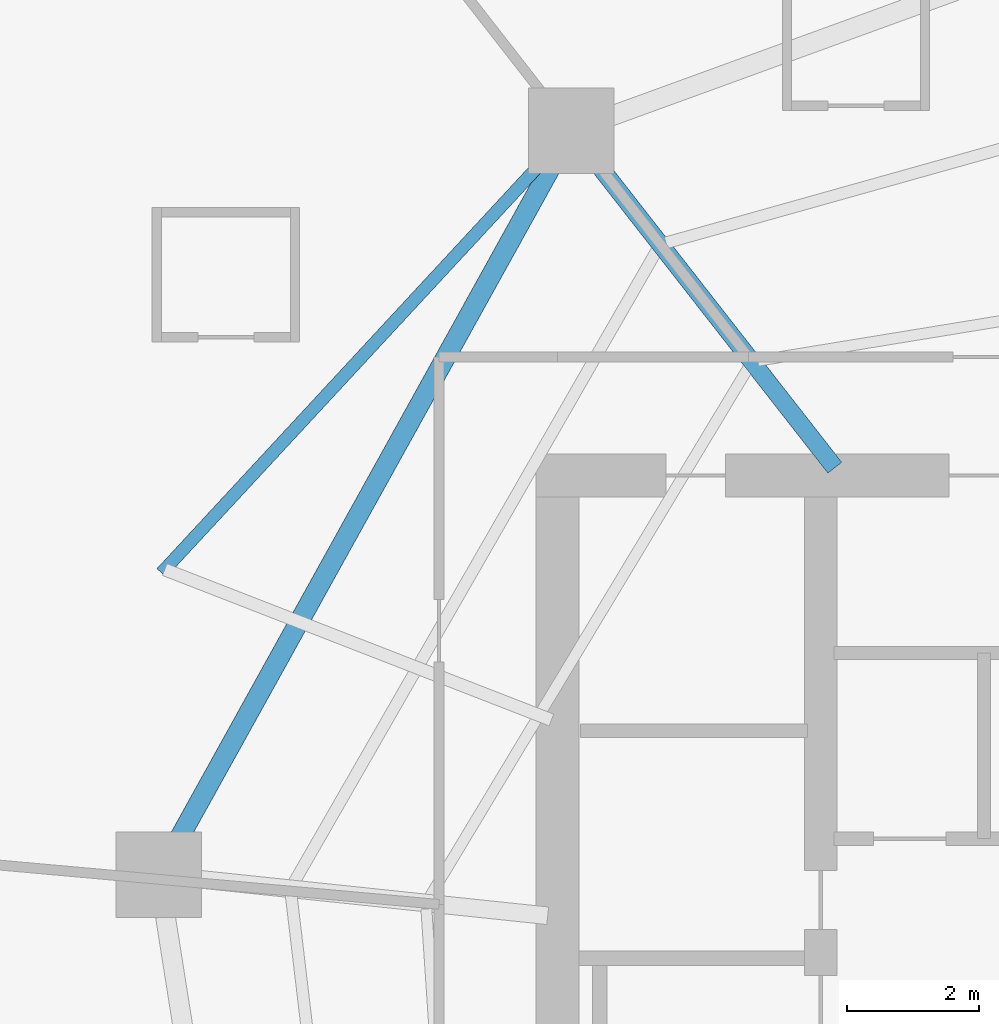
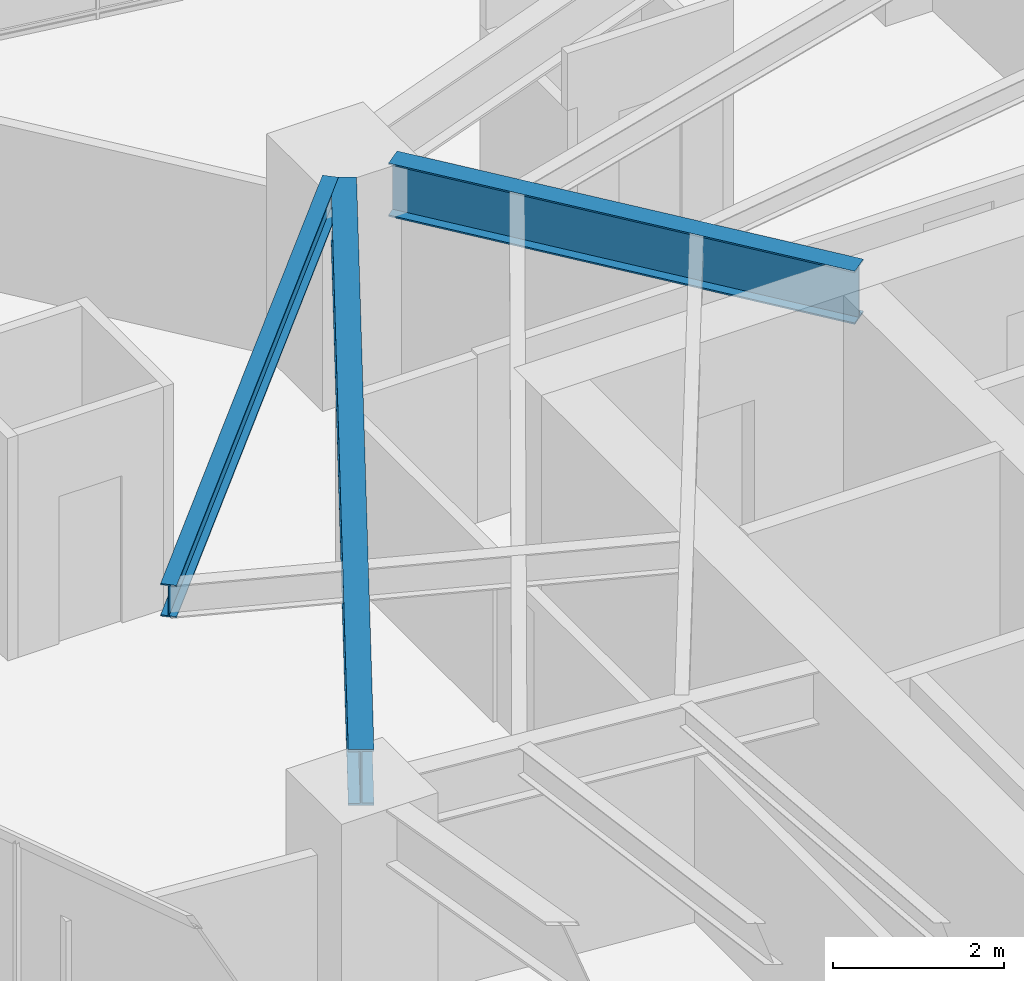
# One storey, part 16 of 31: 3 beams.
"""IFC4 building model written with IfcOpenShell, lengths in metres."""

from ifc_helpers import new_model, si_unit, direction, frame, origin, origin_2d, place, context, subcontext, project, spatial, i_section, extrude, material, material_profile, profile_set, type_object, element, save


model = new_model("IFC4")

# Units and contexts
model_context = context("Model", 3, precision=1e-05, world=origin(), true_north=direction((0.0, 1.0)))
body_context = subcontext(model_context, "Body", "Model", "MODEL_VIEW")
ifc_project = project(units=[si_unit("LENGTHUNIT", "METRE"), si_unit("AREAUNIT", "SQUARE_METRE"), si_unit("VOLUMEUNIT", "CUBIC_METRE"), si_unit("PLANEANGLEUNIT", "RADIAN"), si_unit("MASSUNIT", "GRAM", prefix="KILO")], contexts=[model_context])

# Site, building, storey
site_placement = place(None, origin())
site = spatial("IfcSite", under=ifc_project, at=site_placement, CompositionType="ELEMENT")
building_placement = place(site_placement, origin())
building = spatial("IfcBuilding", under=site, at=building_placement, Name="Qarnah Convention Tower", CompositionType="ELEMENT")
storey_placement = place(building_placement, frame((0.0, 0.0, 33.89990234375)))
storey = spatial("IfcBuildingStorey", under=building, at=storey_placement, Name="L07", CompositionType="ELEMENT", Elevation=33.89990234375)

# Beams
ifc_material = material(Name="Structural steel S355JR", Category="steel")
ifc_material_profile_1 = material_profile(ifc_material, i_section(OverallWidth=0.19189453125, OverallDepth=0.464111328125, WebThickness=0.010986328125, FlangeThickness=0.01806640625, at=origin_2d()), Name="W460X89")
ifc_profile_set_1 = profile_set([ifc_material_profile_1], Name="Structural steel S355JR")
beam_type_1 = type_object("IfcBeamType", Name="BM-CANT-W460A", PredefinedType="BEAM", material=ifc_profile_set_1)
beam_1_placement = place(storey_placement, frame((20.782958984375, 32.719970703125, 2.93798828125), z_axis=(0.679611332191, 0.733572380313, 0.0), x_axis=(-0.733572380313, 0.679611332191, 0.0)))
element("IfcBeam", 1, at=beam_1_placement, inside=storey, type_object=beam_type_1, Name="L07 spandrel BM-L07-CTIE-02", PredefinedType="SPANDREL", context=body_context, shape_type="SweptSolid", body=[
    extrude(i_section(OverallWidth=0.19189453125, OverallDepth=0.464111328125, WebThickness=0.010986328125, FlangeThickness=0.01806640625, at=origin_2d()), origin(), (0.0, 0.0, 1.0), 8.52392578125),
])
ifc_material_profile_2 = material_profile(ifc_material, i_section(OverallWidth=0.26806640625, OverallDepth=0.760009765625, WebThickness=0.014892578125, FlangeThickness=0.02197265625, at=origin_2d()), Name="W760X185")
ifc_profile_set_2 = profile_set([ifc_material_profile_2], Name="Structural steel S355JR")
beam_type_2 = type_object("IfcBeamType", Name="BM-RAD-W760", PredefinedType="BEAM", material=ifc_profile_set_2)
beam_2_placement = place(storey_placement, frame((31.013916015625, 34.318115234375, 2.7900390625), z_axis=(-0.61558272574, 0.78807227319, 0.0), x_axis=(-0.78807227319, -0.61558272574, 0.0)))
element("IfcBeam", 2, at=beam_2_placement, inside=storey, type_object=beam_type_2, Name="L07 beam BM-L07-RAD-04", PredefinedType="BEAM", context=body_context, shape_type="SweptSolid", body=[
    extrude(i_section(OverallWidth=0.26806640625, OverallDepth=0.760009765625, WebThickness=0.014892578125, FlangeThickness=0.02197265625, at=origin_2d()), origin(), (0.0, 0.0, 1.0), 5.87255859375),
])
ifc_material_profile_3 = material_profile(ifc_material, i_section(OverallWidth=0.300048828125, OverallDepth=0.800048828125, WebThickness=0.01806640625, FlangeThickness=0.032958984375, at=origin_2d()), Name="HEB800")
ifc_profile_set_3 = profile_set([ifc_material_profile_3], Name="Structural steel S355JR")
beam_type_3 = type_object("IfcBeamType", Name="BM-RING-HEB800", PredefinedType="BEAM", material=ifc_profile_set_3)
beam_3_placement = place(storey_placement, frame((26.700927734375, 38.882080078125, 2.77001953125), z_axis=(-0.484829813426, -0.874608513572, 0.0), x_axis=(0.874608513572, -0.484829813426, 0.0)))
element("IfcBeam", 3, at=beam_3_placement, inside=storey, type_object=beam_type_3, Name="L07 beam BM-L07-SPN-04", PredefinedType="BEAM", context=body_context, shape_type="SweptSolid", body=[
    extrude(i_section(OverallWidth=0.300048828125, OverallDepth=0.800048828125, WebThickness=0.01806640625, FlangeThickness=0.032958984375, at=origin_2d()), origin(), (0.0, 0.0, 1.0), 11.6533203125),
])

save(model, "model.ifc")
